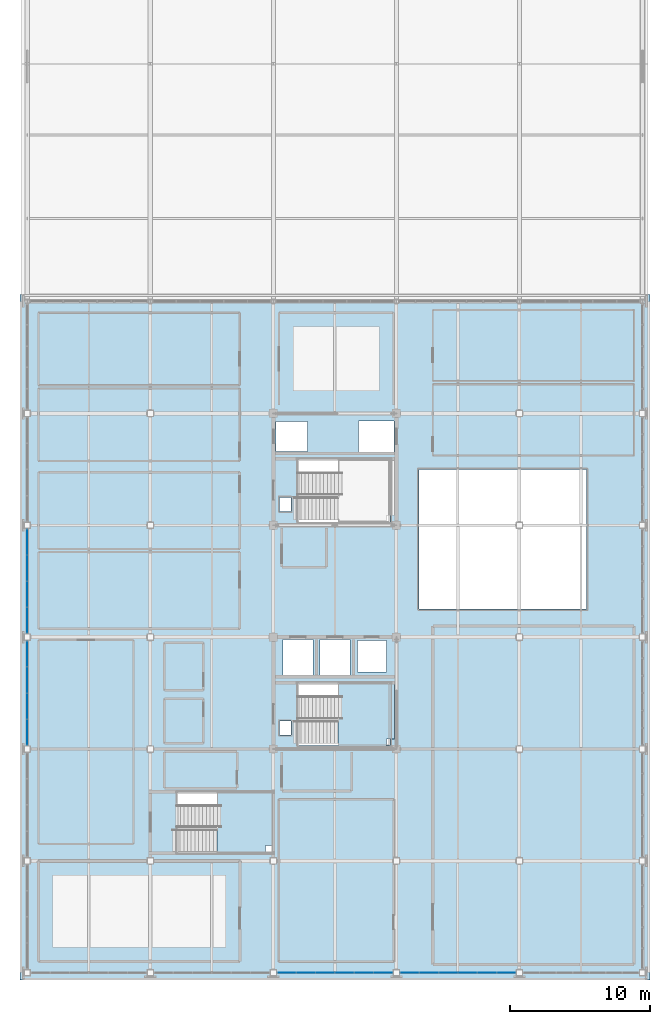
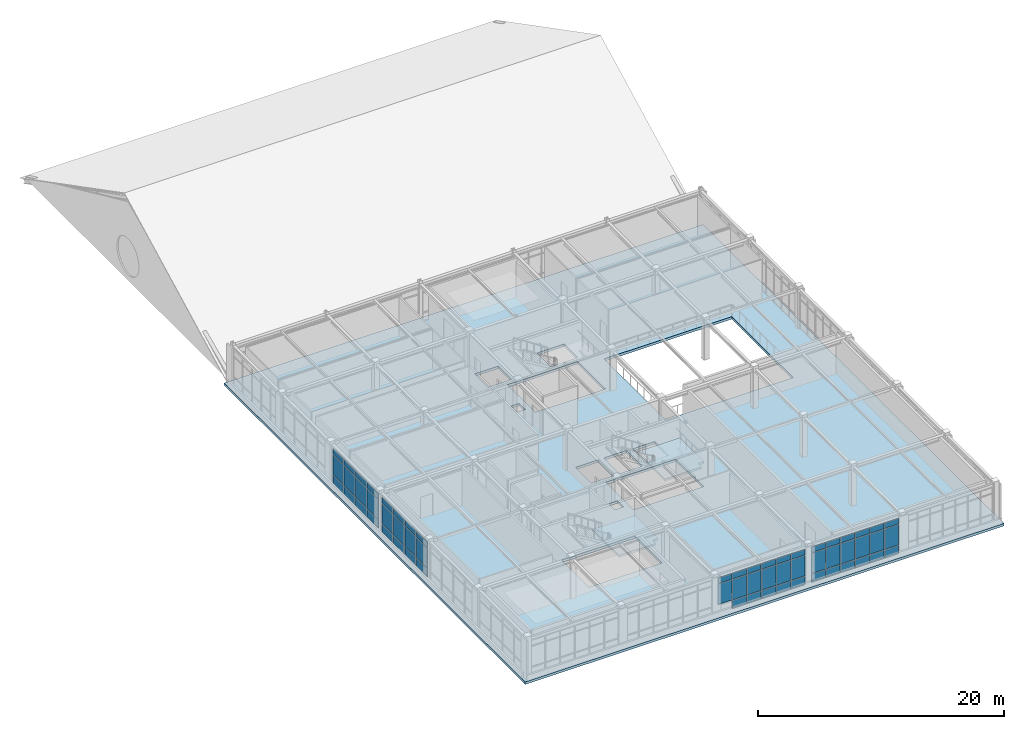
# One storey, part 22 of 45: 59 plates, 3 slabs, 6 elements without a shape of their own.
"""IFC4 building model written with IfcOpenShell, lengths in metres."""

from ifc_helpers import new_model, si_unit, direction, frame, origin, origin_2d, place, context, subcontext, project, spatial, polyline, rectangle, outline, extrude, material, layer, layer_set, type_object, element, aggregate, save


model = new_model("IFC4")

# Units and contexts
model_context = context("Model", 3, precision=1e-05, world=origin(), true_north=direction((0.0, 1.0)))
body_context = subcontext(model_context, "Body", "Model", "MODEL_VIEW")
ifc_project = project(units=[si_unit("LENGTHUNIT", "METRE"), si_unit("AREAUNIT", "SQUARE_METRE"), si_unit("VOLUMEUNIT", "CUBIC_METRE"), si_unit("PLANEANGLEUNIT", "RADIAN"), si_unit("MASSUNIT", "GRAM", prefix="KILO")], contexts=[model_context])

# Site, building, storey
site_placement = place(None, origin())
site = spatial("IfcSite", under=ifc_project, at=site_placement, CompositionType="ELEMENT")
building_placement = place(site_placement, origin())
building = spatial("IfcBuilding", under=site, at=building_placement, Name="Zhaolan Boulevard Law Courts", CompositionType="ELEMENT")
storey_placement = place(building_placement, frame((0.0, 0.0, 24.60009765625)))
storey = spatial("IfcBuildingStorey", under=building, at=storey_placement, Name="L05", CompositionType="ELEMENT", Elevation=24.60009765625)

# Curtain wall, plates
ifc_material_1 = material(Name="Thermally broken aluminium and low-E glazing", Category="aluminium")
curtain_wall_type_1 = type_object("IfcCurtainWallType", Name="CURTAIN WALL M12", PredefinedType="USERDEFINED", material=ifc_material_1)
curtain_wall_1_placement = place(storey_placement, origin())
curtain_wall_1 = element("IfcCurtainWall", 1, at=curtain_wall_1_placement, inside=storey, type_object=curtain_wall_type_1, Name="Curtain Wall CW-L05-204", ObjectType="CURTAIN WALL", PredefinedType="USERDEFINED")
ifc_material_2 = material(Name="Triple-silver low-E insulated glazing", Category="glass")
ifc_layer_1 = layer(ifc_material_2, 0.028076171875)
ifc_layer_set_1 = layer_set([ifc_layer_1])
plate_type = type_object("IfcPlateType", Name="CWPANEL LOW E28", PredefinedType="CURTAIN_PANEL", material=ifc_layer_set_1)
plate_1_placement = place(storey_placement, frame((18.558349609375, 30.0, 0.929931640625), z_axis=(0.0, 0.0, 1.0), x_axis=(1.0, 0.0, 0.0)))
plate_1 = element("IfcPlate", 2, at=plate_1_placement, type_object=plate_type, Name="CW-L05-204 panel 1.2", PredefinedType="CURTAIN_PANEL", context=body_context, shape_type="SweptSolid", body=[
    extrude(rectangle(XDim=1.292724609375, YDim=0.028076171875, at=origin_2d()), origin(), (0.0, 0.0, 1.0), 2.02294921875),
])
plate_2_placement = place(storey_placement, frame((18.558349609375, 30.0, 3.012939453125), z_axis=(0.0, 0.0, 1.0), x_axis=(1.0, 0.0, 0.0)))
plate_2 = element("IfcPlate", 3, at=plate_2_placement, type_object=plate_type, Name="CW-L05-204 panel 1.3", PredefinedType="CURTAIN_PANEL", context=body_context, shape_type="SweptSolid", body=[
    extrude(rectangle(XDim=1.292724609375, YDim=0.028076171875, at=origin_2d()), origin(), (0.0, 0.0, 1.0), 0.56005859375),
])
plate_3_placement = place(storey_placement, frame((19.926025390625, 30.0, 0.059814453125), z_axis=(0.0, 0.0, 1.0), x_axis=(1.0, 0.0, 0.0)))
plate_3 = element("IfcPlate", 4, at=plate_3_placement, type_object=plate_type, Name="CW-L05-204 panel 2.1", PredefinedType="CURTAIN_PANEL", context=body_context, shape_type="SweptSolid", body=[
    extrude(rectangle(XDim=1.32275390625, YDim=0.028076171875, at=origin_2d()), origin(), (0.0, 0.0, 1.0), 0.81005859375),
])
plate_4_placement = place(storey_placement, frame((19.926025390625, 30.0, 0.929931640625), z_axis=(0.0, 0.0, 1.0), x_axis=(1.0, 0.0, 0.0)))
plate_4 = element("IfcPlate", 5, at=plate_4_placement, type_object=plate_type, Name="CW-L05-204 panel 2.2", PredefinedType="CURTAIN_PANEL", context=body_context, shape_type="SweptSolid", body=[
    extrude(rectangle(XDim=1.32275390625, YDim=0.028076171875, at=origin_2d()), origin(), (0.0, 0.0, 1.0), 2.02294921875),
])
plate_5_placement = place(storey_placement, frame((19.926025390625, 30.0, 3.012939453125), z_axis=(0.0, 0.0, 1.0), x_axis=(1.0, 0.0, 0.0)))
plate_5 = element("IfcPlate", 6, at=plate_5_placement, type_object=plate_type, Name="CW-L05-204 panel 2.3", PredefinedType="CURTAIN_PANEL", context=body_context, shape_type="SweptSolid", body=[
    extrude(rectangle(XDim=1.32275390625, YDim=0.028076171875, at=origin_2d()), origin(), (0.0, 0.0, 1.0), 0.56005859375),
])
plate_6_placement = place(storey_placement, frame((21.30859375, 30.0, 0.059814453125), z_axis=(0.0, 0.0, 1.0), x_axis=(1.0, 0.0, 0.0)))
plate_6 = element("IfcPlate", 7, at=plate_6_placement, type_object=plate_type, Name="CW-L05-204 panel 3.1", PredefinedType="CURTAIN_PANEL", context=body_context, shape_type="SweptSolid", body=[
    extrude(rectangle(XDim=1.32275390625, YDim=0.028076171875, at=origin_2d()), origin(), (0.0, 0.0, 1.0), 0.81005859375),
])
plate_7_placement = place(storey_placement, frame((21.30859375, 30.0, 0.929931640625), z_axis=(0.0, 0.0, 1.0), x_axis=(1.0, 0.0, 0.0)))
plate_7 = element("IfcPlate", 8, at=plate_7_placement, type_object=plate_type, Name="CW-L05-204 panel 3.2", PredefinedType="CURTAIN_PANEL", context=body_context, shape_type="SweptSolid", body=[
    extrude(rectangle(XDim=1.32275390625, YDim=0.028076171875, at=origin_2d()), origin(), (0.0, 0.0, 1.0), 2.02294921875),
])
plate_8_placement = place(storey_placement, frame((21.30859375, 30.0, 3.012939453125), z_axis=(0.0, 0.0, 1.0), x_axis=(1.0, 0.0, 0.0)))
plate_8 = element("IfcPlate", 9, at=plate_8_placement, type_object=plate_type, Name="CW-L05-204 panel 3.3", PredefinedType="CURTAIN_PANEL", context=body_context, shape_type="SweptSolid", body=[
    extrude(rectangle(XDim=1.32275390625, YDim=0.028076171875, at=origin_2d()), origin(), (0.0, 0.0, 1.0), 0.56005859375),
])
plate_9_placement = place(storey_placement, frame((22.69140625, 30.0, 0.059814453125), z_axis=(0.0, 0.0, 1.0), x_axis=(1.0, 0.0, 0.0)))
plate_9 = element("IfcPlate", 10, at=plate_9_placement, type_object=plate_type, Name="CW-L05-204 panel 4.1", PredefinedType="CURTAIN_PANEL", context=body_context, shape_type="SweptSolid", body=[
    extrude(rectangle(XDim=1.32275390625, YDim=0.028076171875, at=origin_2d()), origin(), (0.0, 0.0, 1.0), 0.81005859375),
])
plate_10_placement = place(storey_placement, frame((22.69140625, 30.0, 0.929931640625), z_axis=(0.0, 0.0, 1.0), x_axis=(1.0, 0.0, 0.0)))
plate_10 = element("IfcPlate", 11, at=plate_10_placement, type_object=plate_type, Name="CW-L05-204 panel 4.2", PredefinedType="CURTAIN_PANEL", context=body_context, shape_type="SweptSolid", body=[
    extrude(rectangle(XDim=1.32275390625, YDim=0.028076171875, at=origin_2d()), origin(), (0.0, 0.0, 1.0), 2.02294921875),
])
plate_11_placement = place(storey_placement, frame((22.69140625, 30.0, 3.012939453125), z_axis=(0.0, 0.0, 1.0), x_axis=(1.0, 0.0, 0.0)))
plate_11 = element("IfcPlate", 12, at=plate_11_placement, type_object=plate_type, Name="CW-L05-204 panel 4.3", PredefinedType="CURTAIN_PANEL", context=body_context, shape_type="SweptSolid", body=[
    extrude(rectangle(XDim=1.32275390625, YDim=0.028076171875, at=origin_2d()), origin(), (0.0, 0.0, 1.0), 0.56005859375),
])
plate_12_placement = place(storey_placement, frame((24.073974609375, 30.0, 0.059814453125), z_axis=(0.0, 0.0, 1.0), x_axis=(1.0, 0.0, 0.0)))
plate_12 = element("IfcPlate", 13, at=plate_12_placement, type_object=plate_type, Name="CW-L05-204 panel 5.1", PredefinedType="CURTAIN_PANEL", context=body_context, shape_type="SweptSolid", body=[
    extrude(rectangle(XDim=1.32275390625, YDim=0.028076171875, at=origin_2d()), origin(), (0.0, 0.0, 1.0), 0.81005859375),
])
plate_13_placement = place(storey_placement, frame((24.073974609375, 30.0, 0.929931640625), z_axis=(0.0, 0.0, 1.0), x_axis=(1.0, 0.0, 0.0)))
plate_13 = element("IfcPlate", 14, at=plate_13_placement, type_object=plate_type, Name="CW-L05-204 panel 5.2", PredefinedType="CURTAIN_PANEL", context=body_context, shape_type="SweptSolid", body=[
    extrude(rectangle(XDim=1.32275390625, YDim=0.028076171875, at=origin_2d()), origin(), (0.0, 0.0, 1.0), 2.02294921875),
])
plate_14_placement = place(storey_placement, frame((24.073974609375, 30.0, 3.012939453125), z_axis=(0.0, 0.0, 1.0), x_axis=(1.0, 0.0, 0.0)))
plate_14 = element("IfcPlate", 15, at=plate_14_placement, type_object=plate_type, Name="CW-L05-204 panel 5.3", PredefinedType="CURTAIN_PANEL", context=body_context, shape_type="SweptSolid", body=[
    extrude(rectangle(XDim=1.32275390625, YDim=0.028076171875, at=origin_2d()), origin(), (0.0, 0.0, 1.0), 0.56005859375),
])
plate_15_placement = place(storey_placement, frame((25.441650390625, 30.0, 0.059814453125), z_axis=(0.0, 0.0, 1.0), x_axis=(1.0, 0.0, 0.0)))
plate_15 = element("IfcPlate", 16, at=plate_15_placement, type_object=plate_type, Name="CW-L05-204 panel 6.1", PredefinedType="CURTAIN_PANEL", context=body_context, shape_type="SweptSolid", body=[
    extrude(rectangle(XDim=1.292724609375, YDim=0.028076171875, at=origin_2d()), origin(), (0.0, 0.0, 1.0), 0.81005859375),
])
plate_16_placement = place(storey_placement, frame((25.441650390625, 30.0, 0.929931640625), z_axis=(0.0, 0.0, 1.0), x_axis=(1.0, 0.0, 0.0)))
plate_16 = element("IfcPlate", 17, at=plate_16_placement, type_object=plate_type, Name="CW-L05-204 panel 6.2", PredefinedType="CURTAIN_PANEL", context=body_context, shape_type="SweptSolid", body=[
    extrude(rectangle(XDim=1.292724609375, YDim=0.028076171875, at=origin_2d()), origin(), (0.0, 0.0, 1.0), 2.02294921875),
])
plate_17_placement = place(storey_placement, frame((25.441650390625, 30.0, 3.012939453125), z_axis=(0.0, 0.0, 1.0), x_axis=(1.0, 0.0, 0.0)))
plate_17 = element("IfcPlate", 18, at=plate_17_placement, type_object=plate_type, Name="CW-L05-204 panel 6.3", PredefinedType="CURTAIN_PANEL", context=body_context, shape_type="SweptSolid", body=[
    extrude(rectangle(XDim=1.292724609375, YDim=0.028076171875, at=origin_2d()), origin(), (0.0, 0.0, 1.0), 0.56005859375),
])
aggregate(curtain_wall_1, [plate_1, plate_2, plate_3, plate_4, plate_5, plate_6, plate_7, plate_8, plate_9, plate_10, plate_11, plate_12, plate_13, plate_14, plate_15, plate_16, plate_17])

ifc_material_3 = material(Name="Thermally broken aluminium and low-E glazing", Category="aluminium")
curtain_wall_type_2 = type_object("IfcCurtainWallType", Name="CURTAIN WALL M13", PredefinedType="USERDEFINED", material=ifc_material_3)
curtain_wall_2_placement = place(storey_placement, origin())
curtain_wall_2 = element("IfcCurtainWall", 19, at=curtain_wall_2_placement, inside=storey, type_object=curtain_wall_type_2, Name="Curtain Wall CW-L05-205", ObjectType="CURTAIN WALL", PredefinedType="USERDEFINED")
plate_18_placement = place(storey_placement, frame((27.3583984375, 30.0, 0.059814453125), z_axis=(0.0, 0.0, 1.0), x_axis=(1.0, 0.0, 0.0)))
plate_18 = element("IfcPlate", 20, at=plate_18_placement, type_object=plate_type, Name="CW-L05-205 panel 1.1", PredefinedType="CURTAIN_PANEL", context=body_context, shape_type="SweptSolid", body=[
    extrude(rectangle(XDim=1.292724609375, YDim=0.028076171875, at=origin_2d()), origin(), (0.0, 0.0, 1.0), 0.81005859375),
])
plate_19_placement = place(storey_placement, frame((27.3583984375, 30.0, 0.929931640625), z_axis=(0.0, 0.0, 1.0), x_axis=(1.0, 0.0, 0.0)))
plate_19 = element("IfcPlate", 21, at=plate_19_placement, type_object=plate_type, Name="CW-L05-205 panel 1.2", PredefinedType="CURTAIN_PANEL", context=body_context, shape_type="SweptSolid", body=[
    extrude(rectangle(XDim=1.292724609375, YDim=0.028076171875, at=origin_2d()), origin(), (0.0, 0.0, 1.0), 2.02294921875),
])
plate_20_placement = place(storey_placement, frame((27.3583984375, 30.0, 3.012939453125), z_axis=(0.0, 0.0, 1.0), x_axis=(1.0, 0.0, 0.0)))
plate_20 = element("IfcPlate", 22, at=plate_20_placement, type_object=plate_type, Name="CW-L05-205 panel 1.3", PredefinedType="CURTAIN_PANEL", context=body_context, shape_type="SweptSolid", body=[
    extrude(rectangle(XDim=1.292724609375, YDim=0.028076171875, at=origin_2d()), origin(), (0.0, 0.0, 1.0), 0.56005859375),
])
plate_21_placement = place(storey_placement, frame((28.72607421875, 30.0, 0.059814453125), z_axis=(0.0, 0.0, 1.0), x_axis=(1.0, 0.0, 0.0)))
plate_21 = element("IfcPlate", 23, at=plate_21_placement, type_object=plate_type, Name="CW-L05-205 panel 2.1", PredefinedType="CURTAIN_PANEL", context=body_context, shape_type="SweptSolid", body=[
    extrude(rectangle(XDim=1.32275390625, YDim=0.028076171875, at=origin_2d()), origin(), (0.0, 0.0, 1.0), 0.81005859375),
])
plate_22_placement = place(storey_placement, frame((28.72607421875, 30.0, 0.929931640625), z_axis=(0.0, 0.0, 1.0), x_axis=(1.0, 0.0, 0.0)))
plate_22 = element("IfcPlate", 24, at=plate_22_placement, type_object=plate_type, Name="CW-L05-205 panel 2.2", PredefinedType="CURTAIN_PANEL", context=body_context, shape_type="SweptSolid", body=[
    extrude(rectangle(XDim=1.32275390625, YDim=0.028076171875, at=origin_2d()), origin(), (0.0, 0.0, 1.0), 2.02294921875),
])
plate_23_placement = place(storey_placement, frame((28.72607421875, 30.0, 3.012939453125), z_axis=(0.0, 0.0, 1.0), x_axis=(1.0, 0.0, 0.0)))
plate_23 = element("IfcPlate", 25, at=plate_23_placement, type_object=plate_type, Name="CW-L05-205 panel 2.3", PredefinedType="CURTAIN_PANEL", context=body_context, shape_type="SweptSolid", body=[
    extrude(rectangle(XDim=1.32275390625, YDim=0.028076171875, at=origin_2d()), origin(), (0.0, 0.0, 1.0), 0.56005859375),
])
plate_24_placement = place(storey_placement, frame((30.108642578125, 30.0, 0.059814453125), z_axis=(0.0, 0.0, 1.0), x_axis=(1.0, 0.0, 0.0)))
plate_24 = element("IfcPlate", 26, at=plate_24_placement, type_object=plate_type, Name="CW-L05-205 panel 3.1", PredefinedType="CURTAIN_PANEL", context=body_context, shape_type="SweptSolid", body=[
    extrude(rectangle(XDim=1.32275390625, YDim=0.028076171875, at=origin_2d()), origin(), (0.0, 0.0, 1.0), 0.81005859375),
])
plate_25_placement = place(storey_placement, frame((30.108642578125, 30.0, 0.929931640625), z_axis=(0.0, 0.0, 1.0), x_axis=(1.0, 0.0, 0.0)))
plate_25 = element("IfcPlate", 27, at=plate_25_placement, type_object=plate_type, Name="CW-L05-205 panel 3.2", PredefinedType="CURTAIN_PANEL", context=body_context, shape_type="SweptSolid", body=[
    extrude(rectangle(XDim=1.32275390625, YDim=0.028076171875, at=origin_2d()), origin(), (0.0, 0.0, 1.0), 2.02294921875),
])
plate_26_placement = place(storey_placement, frame((30.108642578125, 30.0, 3.012939453125), z_axis=(0.0, 0.0, 1.0), x_axis=(1.0, 0.0, 0.0)))
plate_26 = element("IfcPlate", 28, at=plate_26_placement, type_object=plate_type, Name="CW-L05-205 panel 3.3", PredefinedType="CURTAIN_PANEL", context=body_context, shape_type="SweptSolid", body=[
    extrude(rectangle(XDim=1.32275390625, YDim=0.028076171875, at=origin_2d()), origin(), (0.0, 0.0, 1.0), 0.56005859375),
])
plate_27_placement = place(storey_placement, frame((31.491455078125, 30.0, 0.059814453125), z_axis=(0.0, 0.0, 1.0), x_axis=(1.0, 0.0, 0.0)))
plate_27 = element("IfcPlate", 29, at=plate_27_placement, type_object=plate_type, Name="CW-L05-205 panel 4.1", PredefinedType="CURTAIN_PANEL", context=body_context, shape_type="SweptSolid", body=[
    extrude(rectangle(XDim=1.32275390625, YDim=0.028076171875, at=origin_2d()), origin(), (0.0, 0.0, 1.0), 0.81005859375),
])
plate_28_placement = place(storey_placement, frame((31.491455078125, 30.0, 0.929931640625), z_axis=(0.0, 0.0, 1.0), x_axis=(1.0, 0.0, 0.0)))
plate_28 = element("IfcPlate", 30, at=plate_28_placement, type_object=plate_type, Name="CW-L05-205 panel 4.2", PredefinedType="CURTAIN_PANEL", context=body_context, shape_type="SweptSolid", body=[
    extrude(rectangle(XDim=1.32275390625, YDim=0.028076171875, at=origin_2d()), origin(), (0.0, 0.0, 1.0), 2.02294921875),
])
plate_29_placement = place(storey_placement, frame((31.491455078125, 30.0, 3.012939453125), z_axis=(0.0, 0.0, 1.0), x_axis=(1.0, 0.0, 0.0)))
plate_29 = element("IfcPlate", 31, at=plate_29_placement, type_object=plate_type, Name="CW-L05-205 panel 4.3", PredefinedType="CURTAIN_PANEL", context=body_context, shape_type="SweptSolid", body=[
    extrude(rectangle(XDim=1.32275390625, YDim=0.028076171875, at=origin_2d()), origin(), (0.0, 0.0, 1.0), 0.56005859375),
])
plate_30_placement = place(storey_placement, frame((32.8740234375, 30.0, 0.059814453125), z_axis=(0.0, 0.0, 1.0), x_axis=(1.0, 0.0, 0.0)))
plate_30 = element("IfcPlate", 32, at=plate_30_placement, type_object=plate_type, Name="CW-L05-205 panel 5.1", PredefinedType="CURTAIN_PANEL", context=body_context, shape_type="SweptSolid", body=[
    extrude(rectangle(XDim=1.32275390625, YDim=0.028076171875, at=origin_2d()), origin(), (0.0, 0.0, 1.0), 0.81005859375),
])
plate_31_placement = place(storey_placement, frame((32.8740234375, 30.0, 0.929931640625), z_axis=(0.0, 0.0, 1.0), x_axis=(1.0, 0.0, 0.0)))
plate_31 = element("IfcPlate", 33, at=plate_31_placement, type_object=plate_type, Name="CW-L05-205 panel 5.2", PredefinedType="CURTAIN_PANEL", context=body_context, shape_type="SweptSolid", body=[
    extrude(rectangle(XDim=1.32275390625, YDim=0.028076171875, at=origin_2d()), origin(), (0.0, 0.0, 1.0), 2.02294921875),
])
plate_32_placement = place(storey_placement, frame((32.8740234375, 30.0, 3.012939453125), z_axis=(0.0, 0.0, 1.0), x_axis=(1.0, 0.0, 0.0)))
plate_32 = element("IfcPlate", 34, at=plate_32_placement, type_object=plate_type, Name="CW-L05-205 panel 5.3", PredefinedType="CURTAIN_PANEL", context=body_context, shape_type="SweptSolid", body=[
    extrude(rectangle(XDim=1.32275390625, YDim=0.028076171875, at=origin_2d()), origin(), (0.0, 0.0, 1.0), 0.56005859375),
])
plate_33_placement = place(storey_placement, frame((34.24169921875, 30.0, 0.059814453125), z_axis=(0.0, 0.0, 1.0), x_axis=(1.0, 0.0, 0.0)))
plate_33 = element("IfcPlate", 35, at=plate_33_placement, type_object=plate_type, Name="CW-L05-205 panel 6.1", PredefinedType="CURTAIN_PANEL", context=body_context, shape_type="SweptSolid", body=[
    extrude(rectangle(XDim=1.292724609375, YDim=0.028076171875, at=origin_2d()), origin(), (0.0, 0.0, 1.0), 0.81005859375),
])
plate_34_placement = place(storey_placement, frame((34.24169921875, 30.0, 0.929931640625), z_axis=(0.0, 0.0, 1.0), x_axis=(1.0, 0.0, 0.0)))
plate_34 = element("IfcPlate", 36, at=plate_34_placement, type_object=plate_type, Name="CW-L05-205 panel 6.2", PredefinedType="CURTAIN_PANEL", context=body_context, shape_type="SweptSolid", body=[
    extrude(rectangle(XDim=1.292724609375, YDim=0.028076171875, at=origin_2d()), origin(), (0.0, 0.0, 1.0), 2.02294921875),
])
plate_35_placement = place(storey_placement, frame((34.24169921875, 30.0, 3.012939453125), z_axis=(0.0, 0.0, 1.0), x_axis=(1.0, 0.0, 0.0)))
plate_35 = element("IfcPlate", 37, at=plate_35_placement, type_object=plate_type, Name="CW-L05-205 panel 6.3", PredefinedType="CURTAIN_PANEL", context=body_context, shape_type="SweptSolid", body=[
    extrude(rectangle(XDim=1.292724609375, YDim=0.028076171875, at=origin_2d()), origin(), (0.0, 0.0, 1.0), 0.56005859375),
])
aggregate(curtain_wall_2, [plate_18, plate_19, plate_20, plate_21, plate_22, plate_23, plate_24, plate_25, plate_26, plate_27, plate_28, plate_29, plate_30, plate_31, plate_32, plate_33, plate_34, plate_35])

ifc_material_4 = material(Name="Thermally broken aluminium and low-E glazing", Category="aluminium")
curtain_wall_type_3 = type_object("IfcCurtainWallType", Name="CURTAIN WALL M22", PredefinedType="USERDEFINED", material=ifc_material_4)
curtain_wall_3_placement = place(storey_placement, origin())
curtain_wall_3 = element("IfcCurtainWall", 38, at=curtain_wall_3_placement, inside=storey, type_object=curtain_wall_type_3, Name="Curtain Wall CW-L05-214", ObjectType="CURTAIN WALL", PredefinedType="USERDEFINED")
plate_36_placement = place(storey_placement, frame((0.0, 52.794677734375, 0.06494140625), z_axis=(0.0, 0.0, 1.0), x_axis=(0.0, -1.0, 0.0)))
plate_36 = element("IfcPlate", 39, at=plate_36_placement, type_object=plate_type, Name="CW-L05-214 panel 1.1", PredefinedType="CURTAIN_PANEL", context=body_context, shape_type="SweptSolid", body=[
    extrude(rectangle(XDim=1.776611328125, YDim=0.028076171875, at=origin_2d()), origin(), (0.0, 0.0, 1.0), 0.802490234375),
])
plate_37_placement = place(storey_placement, frame((0.0, 52.794677734375, 0.932373046875), z_axis=(0.0, 0.0, 1.0), x_axis=(0.0, -1.0, 0.0)))
plate_37 = element("IfcPlate", 40, at=plate_37_placement, type_object=plate_type, Name="CW-L05-214 panel 1.2", PredefinedType="CURTAIN_PANEL", context=body_context, shape_type="SweptSolid", body=[
    extrude(rectangle(XDim=1.776611328125, YDim=0.028076171875, at=origin_2d()), origin(), (0.0, 0.0, 1.0), 1.97802734375),
])
plate_38_placement = place(storey_placement, frame((0.0, 52.794677734375, 2.9755859375), z_axis=(0.0, 0.0, 1.0), x_axis=(0.0, -1.0, 0.0)))
plate_38 = element("IfcPlate", 41, at=plate_38_placement, type_object=plate_type, Name="CW-L05-214 panel 1.3", PredefinedType="CURTAIN_PANEL", context=body_context, shape_type="SweptSolid", body=[
    extrude(rectangle(XDim=1.776611328125, YDim=0.028076171875, at=origin_2d()), origin(), (0.0, 0.0, 1.0), 0.552490234375),
])
plate_39_placement = place(storey_placement, frame((0.0, 50.93701171875, 0.06494140625), z_axis=(0.0, 0.0, 1.0), x_axis=(0.0, -1.0, 0.0)))
plate_39 = element("IfcPlate", 42, at=plate_39_placement, type_object=plate_type, Name="CW-L05-214 panel 2.1", PredefinedType="CURTAIN_PANEL", context=body_context, shape_type="SweptSolid", body=[
    extrude(rectangle(XDim=1.80908203125, YDim=0.028076171875, at=origin_2d()), origin(), (0.0, 0.0, 1.0), 0.802490234375),
])
plate_40_placement = place(storey_placement, frame((0.0, 50.93701171875, 0.932373046875), z_axis=(0.0, 0.0, 1.0), x_axis=(0.0, -1.0, 0.0)))
plate_40 = element("IfcPlate", 43, at=plate_40_placement, type_object=plate_type, Name="CW-L05-214 panel 2.2", PredefinedType="CURTAIN_PANEL", context=body_context, shape_type="SweptSolid", body=[
    extrude(rectangle(XDim=1.80908203125, YDim=0.028076171875, at=origin_2d()), origin(), (0.0, 0.0, 1.0), 1.97802734375),
])
plate_41_placement = place(storey_placement, frame((0.0, 50.93701171875, 2.9755859375), z_axis=(0.0, 0.0, 1.0), x_axis=(0.0, -1.0, 0.0)))
plate_41 = element("IfcPlate", 44, at=plate_41_placement, type_object=plate_type, Name="CW-L05-214 panel 2.3", PredefinedType="CURTAIN_PANEL", context=body_context, shape_type="SweptSolid", body=[
    extrude(rectangle(XDim=1.80908203125, YDim=0.028076171875, at=origin_2d()), origin(), (0.0, 0.0, 1.0), 0.552490234375),
])
plate_42_placement = place(storey_placement, frame((0.0, 49.06298828125, 0.06494140625), z_axis=(0.0, 0.0, 1.0), x_axis=(0.0, -1.0, 0.0)))
plate_42 = element("IfcPlate", 45, at=plate_42_placement, type_object=plate_type, Name="CW-L05-214 panel 3.1", PredefinedType="CURTAIN_PANEL", context=body_context, shape_type="SweptSolid", body=[
    extrude(rectangle(XDim=1.80908203125, YDim=0.028076171875, at=origin_2d()), origin(), (0.0, 0.0, 1.0), 0.802490234375),
])
plate_43_placement = place(storey_placement, frame((0.0, 49.06298828125, 0.932373046875), z_axis=(0.0, 0.0, 1.0), x_axis=(0.0, -1.0, 0.0)))
plate_43 = element("IfcPlate", 46, at=plate_43_placement, type_object=plate_type, Name="CW-L05-214 panel 3.2", PredefinedType="CURTAIN_PANEL", context=body_context, shape_type="SweptSolid", body=[
    extrude(rectangle(XDim=1.80908203125, YDim=0.028076171875, at=origin_2d()), origin(), (0.0, 0.0, 1.0), 1.97802734375),
])
plate_44_placement = place(storey_placement, frame((0.0, 49.06298828125, 2.9755859375), z_axis=(0.0, 0.0, 1.0), x_axis=(0.0, -1.0, 0.0)))
plate_44 = element("IfcPlate", 47, at=plate_44_placement, type_object=plate_type, Name="CW-L05-214 panel 3.3", PredefinedType="CURTAIN_PANEL", context=body_context, shape_type="SweptSolid", body=[
    extrude(rectangle(XDim=1.80908203125, YDim=0.028076171875, at=origin_2d()), origin(), (0.0, 0.0, 1.0), 0.552490234375),
])
plate_45_placement = place(storey_placement, frame((0.0, 47.205322265625, 0.06494140625), z_axis=(0.0, 0.0, 1.0), x_axis=(0.0, -1.0, 0.0)))
plate_45 = element("IfcPlate", 48, at=plate_45_placement, type_object=plate_type, Name="CW-L05-214 panel 4.1", PredefinedType="CURTAIN_PANEL", context=body_context, shape_type="SweptSolid", body=[
    extrude(rectangle(XDim=1.776611328125, YDim=0.028076171875, at=origin_2d()), origin(), (0.0, 0.0, 1.0), 0.802490234375),
])
plate_46_placement = place(storey_placement, frame((0.0, 47.205322265625, 0.932373046875), z_axis=(0.0, 0.0, 1.0), x_axis=(0.0, -1.0, 0.0)))
plate_46 = element("IfcPlate", 49, at=plate_46_placement, type_object=plate_type, Name="CW-L05-214 panel 4.2", PredefinedType="CURTAIN_PANEL", context=body_context, shape_type="SweptSolid", body=[
    extrude(rectangle(XDim=1.776611328125, YDim=0.028076171875, at=origin_2d()), origin(), (0.0, 0.0, 1.0), 1.97802734375),
])
plate_47_placement = place(storey_placement, frame((0.0, 47.205322265625, 2.9755859375), z_axis=(0.0, 0.0, 1.0), x_axis=(0.0, -1.0, 0.0)))
plate_47 = element("IfcPlate", 50, at=plate_47_placement, type_object=plate_type, Name="CW-L05-214 panel 4.3", PredefinedType="CURTAIN_PANEL", context=body_context, shape_type="SweptSolid", body=[
    extrude(rectangle(XDim=1.776611328125, YDim=0.028076171875, at=origin_2d()), origin(), (0.0, 0.0, 1.0), 0.552490234375),
])
aggregate(curtain_wall_3, [plate_36, plate_37, plate_38, plate_39, plate_40, plate_41, plate_42, plate_43, plate_44, plate_45, plate_46, plate_47])

ifc_material_5 = material(Name="Thermally broken aluminium and low-E glazing", Category="aluminium")
curtain_wall_type_4 = type_object("IfcCurtainWallType", Name="CURTAIN WALL M23", PredefinedType="USERDEFINED", material=ifc_material_5)
curtain_wall_4_placement = place(storey_placement, origin())
curtain_wall_4 = element("IfcCurtainWall", 51, at=curtain_wall_4_placement, inside=storey, type_object=curtain_wall_type_4, Name="Curtain Wall CW-L05-215", ObjectType="CURTAIN WALL", PredefinedType="USERDEFINED")
plate_48_placement = place(storey_placement, frame((0.0, 60.794677734375, 0.06494140625), z_axis=(0.0, 0.0, 1.0), x_axis=(0.0, -1.0, 0.0)))
plate_48 = element("IfcPlate", 52, at=plate_48_placement, type_object=plate_type, Name="CW-L05-215 panel 1.1", PredefinedType="CURTAIN_PANEL", context=body_context, shape_type="SweptSolid", body=[
    extrude(rectangle(XDim=1.776611328125, YDim=0.028076171875, at=origin_2d()), origin(), (0.0, 0.0, 1.0), 0.802490234375),
])
plate_49_placement = place(storey_placement, frame((0.0, 60.794677734375, 0.932373046875), z_axis=(0.0, 0.0, 1.0), x_axis=(0.0, -1.0, 0.0)))
plate_49 = element("IfcPlate", 53, at=plate_49_placement, type_object=plate_type, Name="CW-L05-215 panel 1.2", PredefinedType="CURTAIN_PANEL", context=body_context, shape_type="SweptSolid", body=[
    extrude(rectangle(XDim=1.776611328125, YDim=0.028076171875, at=origin_2d()), origin(), (0.0, 0.0, 1.0), 1.97802734375),
])
plate_50_placement = place(storey_placement, frame((0.0, 60.794677734375, 2.9755859375), z_axis=(0.0, 0.0, 1.0), x_axis=(0.0, -1.0, 0.0)))
plate_50 = element("IfcPlate", 54, at=plate_50_placement, type_object=plate_type, Name="CW-L05-215 panel 1.3", PredefinedType="CURTAIN_PANEL", context=body_context, shape_type="SweptSolid", body=[
    extrude(rectangle(XDim=1.776611328125, YDim=0.028076171875, at=origin_2d()), origin(), (0.0, 0.0, 1.0), 0.552490234375),
])
plate_51_placement = place(storey_placement, frame((0.0, 58.93701171875, 0.06494140625), z_axis=(0.0, 0.0, 1.0), x_axis=(0.0, -1.0, 0.0)))
plate_51 = element("IfcPlate", 55, at=plate_51_placement, type_object=plate_type, Name="CW-L05-215 panel 2.1", PredefinedType="CURTAIN_PANEL", context=body_context, shape_type="SweptSolid", body=[
    extrude(rectangle(XDim=1.80908203125, YDim=0.028076171875, at=origin_2d()), origin(), (0.0, 0.0, 1.0), 0.802490234375),
])
plate_52_placement = place(storey_placement, frame((0.0, 58.93701171875, 0.932373046875), z_axis=(0.0, 0.0, 1.0), x_axis=(0.0, -1.0, 0.0)))
plate_52 = element("IfcPlate", 56, at=plate_52_placement, type_object=plate_type, Name="CW-L05-215 panel 2.2", PredefinedType="CURTAIN_PANEL", context=body_context, shape_type="SweptSolid", body=[
    extrude(rectangle(XDim=1.80908203125, YDim=0.028076171875, at=origin_2d()), origin(), (0.0, 0.0, 1.0), 1.97802734375),
])
plate_53_placement = place(storey_placement, frame((0.0, 58.93701171875, 2.9755859375), z_axis=(0.0, 0.0, 1.0), x_axis=(0.0, -1.0, 0.0)))
plate_53 = element("IfcPlate", 57, at=plate_53_placement, type_object=plate_type, Name="CW-L05-215 panel 2.3", PredefinedType="CURTAIN_PANEL", context=body_context, shape_type="SweptSolid", body=[
    extrude(rectangle(XDim=1.80908203125, YDim=0.028076171875, at=origin_2d()), origin(), (0.0, 0.0, 1.0), 0.552490234375),
])
plate_54_placement = place(storey_placement, frame((0.0, 57.06298828125, 0.06494140625), z_axis=(0.0, 0.0, 1.0), x_axis=(0.0, -1.0, 0.0)))
plate_54 = element("IfcPlate", 58, at=plate_54_placement, type_object=plate_type, Name="CW-L05-215 panel 3.1", PredefinedType="CURTAIN_PANEL", context=body_context, shape_type="SweptSolid", body=[
    extrude(rectangle(XDim=1.80908203125, YDim=0.028076171875, at=origin_2d()), origin(), (0.0, 0.0, 1.0), 0.802490234375),
])
plate_55_placement = place(storey_placement, frame((0.0, 57.06298828125, 0.932373046875), z_axis=(0.0, 0.0, 1.0), x_axis=(0.0, -1.0, 0.0)))
plate_55 = element("IfcPlate", 59, at=plate_55_placement, type_object=plate_type, Name="CW-L05-215 panel 3.2", PredefinedType="CURTAIN_PANEL", context=body_context, shape_type="SweptSolid", body=[
    extrude(rectangle(XDim=1.80908203125, YDim=0.028076171875, at=origin_2d()), origin(), (0.0, 0.0, 1.0), 1.97802734375),
])
plate_56_placement = place(storey_placement, frame((0.0, 57.06298828125, 2.9755859375), z_axis=(0.0, 0.0, 1.0), x_axis=(0.0, -1.0, 0.0)))
plate_56 = element("IfcPlate", 60, at=plate_56_placement, type_object=plate_type, Name="CW-L05-215 panel 3.3", PredefinedType="CURTAIN_PANEL", context=body_context, shape_type="SweptSolid", body=[
    extrude(rectangle(XDim=1.80908203125, YDim=0.028076171875, at=origin_2d()), origin(), (0.0, 0.0, 1.0), 0.552490234375),
])
plate_57_placement = place(storey_placement, frame((0.0, 55.205322265625, 0.06494140625), z_axis=(0.0, 0.0, 1.0), x_axis=(0.0, -1.0, 0.0)))
plate_57 = element("IfcPlate", 61, at=plate_57_placement, type_object=plate_type, Name="CW-L05-215 panel 4.1", PredefinedType="CURTAIN_PANEL", context=body_context, shape_type="SweptSolid", body=[
    extrude(rectangle(XDim=1.776611328125, YDim=0.028076171875, at=origin_2d()), origin(), (0.0, 0.0, 1.0), 0.802490234375),
])
plate_58_placement = place(storey_placement, frame((0.0, 55.205322265625, 0.932373046875), z_axis=(0.0, 0.0, 1.0), x_axis=(0.0, -1.0, 0.0)))
plate_58 = element("IfcPlate", 62, at=plate_58_placement, type_object=plate_type, Name="CW-L05-215 panel 4.2", PredefinedType="CURTAIN_PANEL", context=body_context, shape_type="SweptSolid", body=[
    extrude(rectangle(XDim=1.776611328125, YDim=0.028076171875, at=origin_2d()), origin(), (0.0, 0.0, 1.0), 1.97802734375),
])
plate_59_placement = place(storey_placement, frame((0.0, 55.205322265625, 2.9755859375), z_axis=(0.0, 0.0, 1.0), x_axis=(0.0, -1.0, 0.0)))
plate_59 = element("IfcPlate", 63, at=plate_59_placement, type_object=plate_type, Name="CW-L05-215 panel 4.3", PredefinedType="CURTAIN_PANEL", context=body_context, shape_type="SweptSolid", body=[
    extrude(rectangle(XDim=1.776611328125, YDim=0.028076171875, at=origin_2d()), origin(), (0.0, 0.0, 1.0), 0.552490234375),
])
aggregate(curtain_wall_4, [plate_48, plate_49, plate_50, plate_51, plate_52, plate_53, plate_54, plate_55, plate_56, plate_57, plate_58, plate_59])

# Slab
ifc_material_6 = material(Name="Concrete C40", Category="concrete")
ifc_layer_2 = layer(ifc_material_6, 0.25)
ifc_layer_set_2 = layer_set([ifc_layer_2])
slab_type_1 = type_object("IfcSlabType", Name="FLOOR SLAB 250", PredefinedType="FLOOR", material=ifc_layer_set_2)
slab_1_placement = place(storey_placement, frame((0.0, 0.0, -0.25)))
element("IfcSlab", 64, at=slab_1_placement, inside=storey, type_object=slab_type_1, Name="Slab SLB-L05-V5", PredefinedType="FLOOR", context=body_context, shape_type="SweptSolid", body=[
    extrude(outline(polyline([(-0.52001953125, 29.47998046875), (44.52001953125, 29.47998046875), (44.52001953125, 78.52001953125), (-0.52001953125, 78.52001953125), (-0.52001953125, 29.47998046875)]), holes=[polyline([(18.27490234375, 51.27490234375), (20.425048828125, 51.27490234375), (20.425048828125, 53.824951171875), (18.27490234375, 53.824951171875), (18.27490234375, 51.27490234375)]), polyline([(20.925048828125, 51.27490234375), (23.074951171875, 51.27490234375), (23.074951171875, 53.824951171875), (20.925048828125, 53.824951171875), (20.925048828125, 51.27490234375)]), polyline([(23.675048828125, 67.25), (26.22509765625, 67.25), (26.22509765625, 69.449951171875), (23.675048828125, 69.449951171875), (23.675048828125, 67.25)]), polyline([(23.60009765625, 51.52490234375), (25.699951171875, 51.52490234375), (25.699951171875, 53.77490234375), (23.60009765625, 53.77490234375), (23.60009765625, 51.52490234375)]), polyline([(17.77490234375, 67.27490234375), (20.02490234375, 67.27490234375), (20.02490234375, 69.425048828125), (17.77490234375, 69.425048828125), (17.77490234375, 67.27490234375)]), polyline([(19.35009765625, 46.25), (25.949951171875, 46.25), (25.949951171875, 50.75), (19.35009765625, 50.75), (19.35009765625, 46.25)]), polyline([(19.35009765625, 62.25), (25.949951171875, 62.25), (25.949951171875, 66.75), (19.35009765625, 66.75), (19.35009765625, 62.25)]), polyline([(10.699951171875, 38.550048828125), (17.60009765625, 38.550048828125), (17.60009765625, 42.949951171875), (10.699951171875, 42.949951171875), (10.699951171875, 38.550048828125)]), polyline([(18.050048828125, 47.0), (18.85009765625, 47.0), (18.85009765625, 48.0), (18.050048828125, 48.0), (18.050048828125, 47.0)]), polyline([(18.050048828125, 63.0), (18.85009765625, 63.0), (18.85009765625, 64.0), (18.050048828125, 64.0), (18.050048828125, 63.0)]), polyline([(28.0, 56.0), (40.0, 56.0), (40.0, 66.0), (28.0, 66.0), (28.0, 56.0)])]), origin(), (0.0, 0.0, 1.0), 0.25),
])

# Stair, slab
ifc_material_7 = material(Name="Concrete C40", Category="concrete")
stair_type_1 = type_object("IfcStairType", Name="HALF TURN STAIR 42 A", PredefinedType="HALF_TURN_STAIR", material=ifc_material_7)
stair_1_placement = place(storey_placement, origin())
stair_1 = element("IfcStair", 65, at=stair_1_placement, inside=storey, type_object=stair_type_1, Name="Stair ST01-L05", PredefinedType="HALF_TURN_STAIR")
ifc_material_8 = material(Name="Concrete C40", Category="concrete")
ifc_layer_3 = layer(ifc_material_8, 0.199951171875)
ifc_layer_set_3 = layer_set([ifc_layer_3])
slab_type_2 = type_object("IfcSlabType", Name="STAIR LANDING 200", PredefinedType="LANDING", material=ifc_layer_set_3)
slab_2_placement = place(storey_placement, frame((0.0, 0.0, 1.89990234375)))
slab_2 = element("IfcSlab", 66, at=slab_2_placement, type_object=slab_type_2, Name="Stair Landing ST01-L05-L1", PredefinedType="LANDING", context=body_context, shape_type="SweptSolid", body=[
    extrude(outline(polyline([(22.22998046875, 46.14501953125), (25.695068359375, 46.14501953125), (25.695068359375, 46.705078125), (26.2548828125, 46.705078125), (26.2548828125, 50.639892578125), (22.22998046875, 50.639892578125), (22.22998046875, 46.14501953125)])), origin(), (0.0, 0.0, 1.0), 0.199951171875),
])
aggregate(stair_1, [slab_2])

ifc_material_9 = material(Name="Concrete C40", Category="concrete")
stair_type_2 = type_object("IfcStairType", Name="HALF TURN STAIR 42 B", PredefinedType="HALF_TURN_STAIR", material=ifc_material_9)
stair_2_placement = place(storey_placement, origin())
stair_2 = element("IfcStair", 67, at=stair_2_placement, inside=storey, type_object=stair_type_2, Name="Stair ST03-L05", PredefinedType="HALF_TURN_STAIR")
slab_3_placement = place(storey_placement, frame((0.0, 0.0, 1.89990234375)))
slab_3 = element("IfcSlab", 68, at=slab_3_placement, type_object=slab_type_2, Name="Stair Landing ST03-L05-L1", PredefinedType="LANDING", context=body_context, shape_type="SweptSolid", body=[
    extrude(outline(polyline([(13.580078125, 38.60009765625), (17.0400390625, 38.60009765625), (17.0400390625, 39.110107421875), (17.550048828125, 39.110107421875), (17.550048828125, 42.89990234375), (13.580078125, 42.89990234375), (13.580078125, 38.60009765625)])), origin(), (0.0, 0.0, 1.0), 0.199951171875),
])
aggregate(stair_2, [slab_3])

save(model, "model.ifc")
